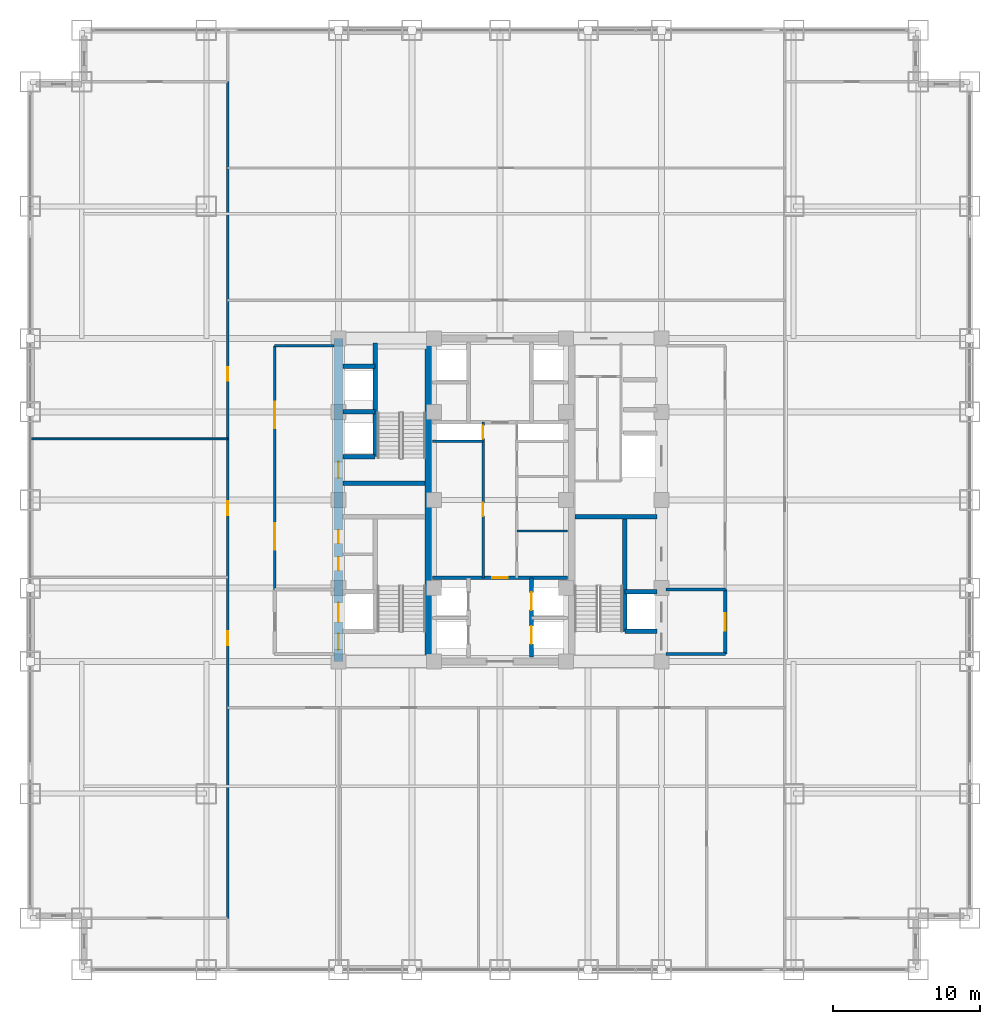
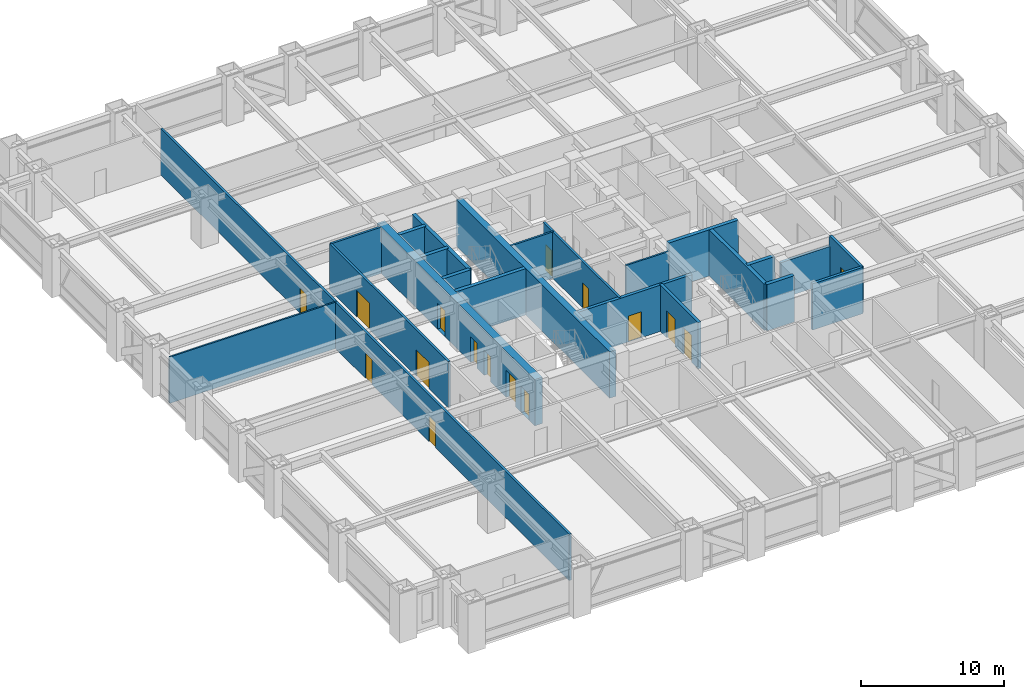
# One storey, part 24 of 27: 23 walls, 16 doors, 16 openings.
"""IFC4 building model written with IfcOpenShell, lengths in metres."""

from ifc_helpers import new_model, si_unit, direction, frame, frame_2d, origin, place, context, subcontext, project, spatial, rectangle, extrude, source, transform, mapped, material, layer, layer_set, type_object, element, fill, save


model = new_model("IFC4")

# Units and contexts
model_context = context("Model", 3, precision=1e-05, world=origin(), true_north=direction((0.0, 1.0)))
body_context = subcontext(model_context, "Body", "Model", "MODEL_VIEW")
ifc_project = project(units=[si_unit("LENGTHUNIT", "METRE"), si_unit("AREAUNIT", "SQUARE_METRE"), si_unit("VOLUMEUNIT", "CUBIC_METRE"), si_unit("PLANEANGLEUNIT", "RADIAN"), si_unit("MASSUNIT", "GRAM", prefix="KILO")], contexts=[model_context])

# Site, building, storey
site_placement = place(None, origin())
site = spatial("IfcSite", under=ifc_project, at=site_placement, CompositionType="ELEMENT")
building_placement = place(site_placement, origin())
building = spatial("IfcBuilding", under=site, at=building_placement, Name="Khorayat Bourse Tower", CompositionType="ELEMENT")
storey_placement = place(building_placement, frame((0.0, 0.0, 45.199951171875)))
storey = spatial("IfcBuildingStorey", under=building, at=storey_placement, Name="L09", CompositionType="ELEMENT", Elevation=45.199951171875)

# Wall, openings, doors
ifc_material_1 = material(Name="Concrete C60/75", Category="concrete")
ifc_layer_1 = layer(ifc_material_1, 0.60009765625)
ifc_layer_set_1 = layer_set([ifc_layer_1], Name="Concrete C60/75")
wall_type_1 = type_object("IfcWallType", Name="WAL-CORE-600", PredefinedType="SHEAR", material=ifc_layer_set_1)
shared_shape_1 = source(origin(), body_context, "Body", "SweptSolid", [
    extrude(rectangle(XDim=22.0, YDim=0.60009765625, at=frame_2d((11.0, 0.0))), origin(), (0.0, 0.0, 1.0), 3.93994140625),
])
wall_1_placement = place(storey_placement, frame((-11.0, -11.0, 0.0), z_axis=(0.0, 0.0, 1.0), x_axis=(0.0, 1.0, 0.0)))
wall_1 = element("IfcWall", 1, at=wall_1_placement, inside=storey, type_object=wall_type_1, Name="L09 Core Shear Wall CORE-W", PredefinedType="SHEAR", context=body_context, shape_type="MappedRepresentation", body=[
    mapped(shared_shape_1, transform((0.0, 0.0, 0.0), scale=1.0)),
])
shared_shape_2 = source(origin(), body_context, "Body", "SweptSolid", [
    extrude(rectangle(XDim=1.10009765625, YDim=2.199951171875, at=frame_2d((0.550048828125, 1.10009765625))), frame((0.0, 0.31005859375, 0.0), z_axis=(0.0, -1.0, 0.0), x_axis=(1.0, 0.0, 0.0)), (0.0, 0.0, 1.0), 0.6201171875),
])
opening_1_placement = place(wall_1_placement, frame((0.800048828125, 0.0, 0.0)))
opening_1 = element("IfcOpeningElement", 2, at=opening_1_placement, cuts=wall_1, Name="Opening DI-01", PredefinedType="OPENING", context=body_context, shape_type="MappedRepresentation", body=[
    mapped(shared_shape_2, transform((0.0, 0.0, 0.0), scale=1.0)),
])
opening_2_placement = place(wall_1_placement, frame((12.5, 0.0, 0.0)))
opening_2 = element("IfcOpeningElement", 3, at=opening_2_placement, cuts=wall_1, Name="Opening DI-01", PredefinedType="OPENING", context=body_context, shape_type="MappedRepresentation", body=[
    mapped(shared_shape_2, transform((0.0, 0.0, 0.0), scale=1.0)),
])
shared_shape_3 = source(origin(), body_context, "Body", "SweptSolid", [
    extrude(rectangle(XDim=0.89990234375, YDim=2.14990234375, at=frame_2d((0.449951171875, 1.074951171875))), frame((0.0, 0.31005859375, 0.0), z_axis=(0.0, -1.0, 0.0), x_axis=(1.0, 0.0, 0.0)), (0.0, 0.0, 1.0), 0.6201171875),
])
opening_3_placement = place(wall_1_placement, frame((6.199951171875, 0.0, 0.0)))
opening_3 = element("IfcOpeningElement", 4, at=opening_3_placement, cuts=wall_1, Name="Opening DI-06", PredefinedType="OPENING", context=body_context, shape_type="MappedRepresentation", body=[
    mapped(shared_shape_3, transform((0.0, 0.0, 0.0), scale=1.0)),
])
opening_4_placement = place(wall_1_placement, frame((8.050048828125, 0.0, 0.0)))
opening_4 = element("IfcOpeningElement", 5, at=opening_4_placement, cuts=wall_1, Name="Opening DI-06", PredefinedType="OPENING", context=body_context, shape_type="MappedRepresentation", body=[
    mapped(shared_shape_3, transform((0.0, 0.0, 0.0), scale=1.0)),
])
shared_shape_4 = source(origin(), body_context, "Body", "SweptSolid", [
    extrude(rectangle(XDim=1.300048828125, YDim=2.300048828125, at=frame_2d((0.64990234375, 1.14990234375))), frame((0.0, 0.31005859375, 0.0), z_axis=(0.0, -1.0, 0.0), x_axis=(1.0, 0.0, 0.0)), (0.0, 0.0, 1.0), 0.6201171875),
])
opening_5_placement = place(wall_1_placement, frame((2.699951171875, 0.0, 0.0)))
opening_5 = element("IfcOpeningElement", 6, at=opening_5_placement, cuts=wall_1, Name="Opening LD-02", PredefinedType="OPENING", context=body_context, shape_type="MappedRepresentation", body=[
    mapped(shared_shape_4, transform((0.0, 0.0, 0.0), scale=1.0)),
])
ifc_material_2 = material(Name="Fire-rated steel acoustic leaf", Category="steel")
door_type_1 = type_object("IfcDoorType", Name="DR-INT-STAIR-1100", OperationType="NOTDEFINED", PredefinedType="DOOR", material=ifc_material_2)
shared_shape_5 = source(origin(), body_context, "Body", "SweptSolid", [
    extrude(rectangle(XDim=1.10009765625, YDim=2.199951171875, at=frame_2d((0.550048828125, 1.10009765625))), frame((0.0, 0.02490234375, 0.0), z_axis=(0.0, -1.0, 0.0), x_axis=(1.0, 0.0, 0.0)), (0.0, 0.0, 1.0), 0.050048828125),
])
door_1_placement = place(opening_1_placement, origin())
door_1 = element("IfcDoor", 7, at=door_1_placement, inside=storey, type_object=door_type_1, Name="L09 Exit Stair 1 Door", OperationType="SINGLE_SWING_RIGHT", OverallHeight=2.199951171875, OverallWidth=1.10009765625, PredefinedType="DOOR", context=body_context, shape_type="MappedRepresentation", body=[
    mapped(shared_shape_5, transform((0.0, 0.0, 0.0), scale=1.0)),
])
fill(opening_1, door_1)
door_2_placement = place(opening_2_placement, origin())
door_2 = element("IfcDoor", 8, at=door_2_placement, inside=storey, type_object=door_type_1, Name="L09 Exit Stair 2 Door", OperationType="SINGLE_SWING_RIGHT", OverallHeight=2.199951171875, OverallWidth=1.10009765625, PredefinedType="DOOR", context=body_context, shape_type="MappedRepresentation", body=[
    mapped(shared_shape_5, transform((0.0, 0.0, 0.0), scale=1.0)),
])
fill(opening_2, door_2)
ifc_material_3 = material(Name="Moisture-resistant laminate washroom door")
door_type_2 = type_object("IfcDoorType", Name="DR-INT-WC-900", OperationType="NOTDEFINED", PredefinedType="DOOR", material=ifc_material_3)
shared_shape_6 = source(origin(), body_context, "Body", "SweptSolid", [
    extrude(rectangle(XDim=0.89990234375, YDim=2.14990234375, at=frame_2d((0.449951171875, 1.074951171875))), frame((0.0, 0.02490234375, 0.0), z_axis=(0.0, -1.0, 0.0), x_axis=(1.0, 0.0, 0.0)), (0.0, 0.0, 1.0), 0.050048828125),
])
door_3_placement = place(opening_3_placement, origin())
door_3 = element("IfcDoor", 9, at=door_3_placement, inside=storey, type_object=door_type_2, Name="L09 Electrical Plant Room Door", OperationType="SINGLE_SWING_RIGHT", OverallHeight=2.14990234375, OverallWidth=0.89990234375, PredefinedType="DOOR", context=body_context, shape_type="MappedRepresentation", body=[
    mapped(shared_shape_6, transform((0.0, 0.0, 0.0), scale=1.0)),
])
fill(opening_3, door_3)
door_4_placement = place(opening_4_placement, origin())
door_4 = element("IfcDoor", 10, at=door_4_placement, inside=storey, type_object=door_type_2, Name="L09 Cleaner Storage Room Door", OperationType="SINGLE_SWING_LEFT", OverallHeight=2.14990234375, OverallWidth=0.89990234375, PredefinedType="DOOR", context=body_context, shape_type="MappedRepresentation", body=[
    mapped(shared_shape_6, transform((0.0, 0.0, 0.0), scale=1.0)),
])
fill(opening_4, door_4)
ifc_material_4 = material(Name="Fire-rated stainless-steel sliding landing door", Category="steel")
door_type_3 = type_object("IfcDoorType", Name="DR-LIFT-FF-1300", OperationType="NOTDEFINED", PredefinedType="DOOR", material=ifc_material_4)
shared_shape_7 = source(origin(), body_context, "Body", "SweptSolid", [
    extrude(rectangle(XDim=1.300048828125, YDim=2.300048828125, at=frame_2d((0.64990234375, 1.14990234375))), frame((0.0, 0.02490234375, 0.0), z_axis=(0.0, -1.0, 0.0), x_axis=(1.0, 0.0, 0.0)), (0.0, 0.0, 1.0), 0.050048828125),
])
door_5_placement = place(opening_5_placement, origin())
door_5 = element("IfcDoor", 11, at=door_5_placement, inside=storey, type_object=door_type_3, Name="L09 Lift FFL-01 Sliding Landing Door", OperationType="SLIDING_TO_LEFT", OverallHeight=2.300048828125, OverallWidth=1.300048828125, PredefinedType="DOOR", context=body_context, shape_type="MappedRepresentation", body=[
    mapped(shared_shape_7, transform((0.0, 0.0, 0.0), scale=1.0)),
])
fill(opening_5, door_5)

# Walls
ifc_material_5 = material(Name="Concrete C52/65", Category="concrete")
ifc_layer_2 = layer(ifc_material_5, 0.5)
ifc_layer_set_2 = layer_set([ifc_layer_2], Name="Concrete C52/65")
wall_type_2 = type_object("IfcWallType", Name="WAL-CORE-500", PredefinedType="SHEAR", material=ifc_layer_set_2)
shared_shape_8 = source(origin(), body_context, "Body", "SweptSolid", [
    extrude(rectangle(XDim=21.39990234375, YDim=0.5, at=frame_2d((10.699951171875, 0.0))), origin(), (0.0, 0.0, 1.0), 3.93994140625),
])
wall_2_placement = place(storey_placement, frame((-4.85009765625, -10.699951171875, 0.0), z_axis=(0.0, 0.0, 1.0), x_axis=(0.0, 1.0, 0.0)))
element("IfcWall", 12, at=wall_2_placement, inside=storey, type_object=wall_type_2, Name="L09 Core Shear Wall PIER-W", PredefinedType="SHEAR", context=body_context, shape_type="MappedRepresentation", body=[
    mapped(shared_shape_8, transform((0.0, 0.0, 0.0), scale=1.0)),
])
ifc_material_6 = material(Name="Concrete C50/60", Category="concrete")
ifc_layer_3 = layer(ifc_material_6, 0.300048828125)
ifc_layer_set_3 = layer_set([ifc_layer_3], Name="Concrete C50/60")
wall_type_3 = type_object("IfcWallType", Name="WAL-SHAFT-300", PredefinedType="SHEAR", material=ifc_layer_set_3)
shared_shape_9 = source(origin(), body_context, "Body", "SweptSolid", [
    extrude(rectangle(XDim=5.599853515625, YDim=0.300048828125, at=frame_2d((2.7998046875, 0.0))), origin(), (0.0, 0.0, 1.0), 3.93994140625),
])
for number, where, z_axis, x_axis, name in (
    (13, (-10.699951171875, 1.14990234375, 0.0), (0.0, 0.0, 1.0), (1.0, 0.0, 0.0), "L09 Core Shear Wall ST2-DIV"),
    (14, (5.10009765625, -1.14990234375, 0.0), (0.0, 0.0, 1.0), (1.0, 0.0, 0.0), "L09 Core Shear Wall ST3-DIV"),
):
    element("IfcWall", number, at=place(storey_placement, frame(where, z_axis=z_axis, x_axis=x_axis)), inside=storey, type_object=wall_type_3, Name=name, PredefinedType="SHEAR", context=body_context, shape_type="MappedRepresentation", body=[
        mapped(shared_shape_9, transform((0.0, 0.0, 0.0), scale=1.0)),
    ])
shared_shape_10 = source(origin(), body_context, "Body", "SweptSolid", [
    extrude(rectangle(XDim=7.800048828125, YDim=0.300048828125, at=frame_2d((3.89990234375, 0.0))), origin(), (0.0, 0.0, 1.0), 3.93994140625),
])
wall_3_placement = place(storey_placement, frame((8.5, -8.949951171875, 0.0), z_axis=(0.0, 0.0, 1.0), x_axis=(0.0, 1.0, 0.0)))
element("IfcWall", 15, at=wall_3_placement, inside=storey, type_object=wall_type_3, Name="L09 Partition WAL-L09-EPIER-SP", PredefinedType="SHEAR", context=body_context, shape_type="MappedRepresentation", body=[
    mapped(shared_shape_10, transform((0.0, 0.0, 0.0), scale=1.0)),
])
shared_shape_11 = source(origin(), body_context, "Body", "SweptSolid", [
    extrude(rectangle(XDim=2.199951171875, YDim=0.300048828125, at=frame_2d((1.10009765625, 0.0))), origin(), (0.0, 0.0, 1.0), 3.93994140625),
])
for number, where, z_axis, x_axis, name in (
    (16, (-10.699951171875, 2.949951171875, 0.0), (0.0, 0.0, 1.0), (1.0, 0.0, 0.0), "L09 Partition WAL-L09-WPIER-H1S"),
    (17, (-10.699951171875, 6.0, 0.0), (0.0, 0.0, 1.0), (1.0, 0.0, 0.0), "L09 Partition WAL-L09-WPIER-H12"),
    (18, (-10.699951171875, 9.10009765625, 0.0), (0.0, 0.0, 1.0), (1.0, 0.0, 0.0), "L09 Partition WAL-L09-WPIER-H2N"),
    (19, (8.5, -8.949951171875, 0.0), (0.0, 0.0, 1.0), (1.0, 0.0, 0.0), "L09 Partition WAL-L09-EPIER-FF2S"),
    (20, (8.5, -6.25, 0.0), (0.0, 0.0, 1.0), (1.0, 0.0, 0.0), "L09 Partition WAL-L09-EPIER-FF2N"),
):
    element("IfcWall", number, at=place(storey_placement, frame(where, z_axis=z_axis, x_axis=x_axis)), inside=storey, type_object=wall_type_3, Name=name, PredefinedType="SHEAR", context=body_context, shape_type="MappedRepresentation", body=[
        mapped(shared_shape_11, transform((0.0, 0.0, 0.0), scale=1.0)),
    ])
shared_shape_12 = source(origin(), body_context, "Body", "SweptSolid", [
    extrude(rectangle(XDim=7.75, YDim=0.300048828125, at=frame_2d((3.875, 0.0))), origin(), (0.0, 0.0, 1.0), 3.93994140625),
])
wall_4_placement = place(storey_placement, frame((-8.5, 2.949951171875, 0.0), z_axis=(0.0, 0.0, 1.0), x_axis=(0.0, 1.0, 0.0)))
element("IfcWall", 21, at=wall_4_placement, inside=storey, type_object=wall_type_3, Name="L09 Partition WAL-L09-WPIER-ST2S", PredefinedType="SHEAR", context=body_context, shape_type="MappedRepresentation", body=[
    mapped(shared_shape_12, transform((0.0, 0.0, 0.0), scale=1.0)),
])
ifc_material_7 = material(Name="Aerated concrete blockwork", Category="masonry")
ifc_layer_4 = layer(ifc_material_7, 0.219970703125)
ifc_layer_set_4 = layer_set([ifc_layer_4], Name="Aerated concrete blockwork")
wall_type_4 = type_object("IfcWallType", Name="WAL-PART-FF-220", PredefinedType="PARTITIONING", material=ifc_layer_set_4)
shared_shape_13 = source(origin(), body_context, "Body", "SweptSolid", [
    extrude(rectangle(XDim=4.050048828125, YDim=0.219970703125, at=frame_2d((2.02490234375, 0.0))), origin(), (0.0, 0.0, 1.0), 3.93994140625),
])
wall_5_placement = place(storey_placement, frame((11.300048828125, -10.5, 0.0), z_axis=(0.0, 0.0, 1.0), x_axis=(1.0, 0.0, 0.0)))
element("IfcWall", 22, at=wall_5_placement, inside=storey, type_object=wall_type_4, Name="L09 Partition WAL-L09-FFLE-S", PredefinedType="PARTITIONING", context=body_context, shape_type="MappedRepresentation", body=[
    mapped(shared_shape_13, transform((0.0, 0.0, 0.0), scale=1.0)),
])
shared_shape_14 = source(origin(), body_context, "Body", "SweptSolid", [
    extrude(rectangle(XDim=4.050048828125, YDim=0.219970703125, at=frame_2d((2.02490234375, 0.0))), origin(), (0.0, 0.0, 1.0), 3.0849609375),
])
wall_6_placement = place(storey_placement, frame((11.300048828125, -6.10009765625, 0.0), z_axis=(0.0, 0.0, 1.0), x_axis=(1.0, 0.0, 0.0)))
element("IfcWall", 23, at=wall_6_placement, inside=storey, type_object=wall_type_4, Name="L09 Partition WAL-L09-FFLE-N", PredefinedType="PARTITIONING", context=body_context, shape_type="MappedRepresentation", body=[
    mapped(shared_shape_14, transform((0.0, 0.0, 0.0), scale=1.0)),
])

# Wall, opening, door
shared_shape_15 = source(origin(), body_context, "Body", "SweptSolid", [
    extrude(rectangle(XDim=4.39990234375, YDim=0.219970703125, at=frame_2d((2.199951171875, 0.0))), origin(), (0.0, 0.0, 1.0), 3.93994140625),
])
wall_7_placement = place(storey_placement, frame((15.35009765625, -10.5, 0.0), z_axis=(0.0, 0.0, 1.0), x_axis=(0.0, 1.0, 0.0)))
wall_7 = element("IfcWall", 24, at=wall_7_placement, inside=storey, type_object=wall_type_4, Name="L09 Partition WAL-L09-FFLE-E", PredefinedType="PARTITIONING", context=body_context, shape_type="MappedRepresentation", body=[
    mapped(shared_shape_15, transform((0.0, 0.0, 0.0), scale=1.0)),
])
shared_shape_16 = source(origin(), body_context, "Body", "SweptSolid", [
    extrude(rectangle(XDim=1.199951171875, YDim=2.199951171875, at=frame_2d((0.60009765625, 1.10009765625))), frame((0.0, 0.119873046875, 0.0), z_axis=(0.0, -1.0, 0.0), x_axis=(1.0, 0.0, 0.0)), (0.0, 0.0, 1.0), 0.239990234375),
])
opening_6_placement = place(wall_7_placement, frame((1.60009765625, 0.0, 0.0)))
opening_6 = element("IfcOpeningElement", 25, at=opening_6_placement, cuts=wall_7, Name="Opening DI-02", PredefinedType="OPENING", context=body_context, shape_type="MappedRepresentation", body=[
    mapped(shared_shape_16, transform((0.0, 0.0, 0.0), scale=1.0)),
])
ifc_material_8 = material(Name="Fire-rated steel double-seal leaf", Category="steel")
door_type_4 = type_object("IfcDoorType", Name="DR-INT-FFLOBBY-1200", OperationType="NOTDEFINED", PredefinedType="DOOR", material=ifc_material_8)
shared_shape_17 = source(origin(), body_context, "Body", "SweptSolid", [
    extrude(rectangle(XDim=1.199951171875, YDim=2.199951171875, at=frame_2d((0.60009765625, 1.10009765625))), frame((0.0, 0.02490234375, 0.0), z_axis=(0.0, -1.0, 0.0), x_axis=(1.0, 0.0, 0.0)), (0.0, 0.0, 1.0), 0.050048828125),
])
door_6_placement = place(opening_6_placement, origin())
door_6 = element("IfcDoor", 26, at=door_6_placement, inside=storey, type_object=door_type_4, Name="L09 East Firefighting Lobby Door", OperationType="SINGLE_SWING_RIGHT", OverallHeight=2.199951171875, OverallWidth=1.199951171875, PredefinedType="DOOR", context=body_context, shape_type="MappedRepresentation", body=[
    mapped(shared_shape_17, transform((0.0, 0.0, 0.0), scale=1.0)),
])
fill(opening_6, door_6)

# Wall
ifc_material_9 = material(Name="Gypsum plasterboard acoustic stud wall")
ifc_layer_5 = layer(ifc_material_9, 0.179931640625)
ifc_layer_set_5 = layer_set([ifc_layer_5], Name="Gypsum plasterboard acoustic stud wall")
wall_type_5 = type_object("IfcWallType", Name="WAL-PART-CORR-180", PredefinedType="PARTITIONING", material=ifc_layer_set_5)
shared_shape_18 = source(origin(), body_context, "Body", "SweptSolid", [
    extrude(rectangle(XDim=4.050048828125, YDim=0.179931640625, at=frame_2d((2.02490234375, 0.0))), origin(), (0.0, 0.0, 1.0), 3.93994140625),
])
wall_8_placement = place(storey_placement, frame((-15.35009765625, 10.5, 0.0), z_axis=(0.0, 0.0, 1.0), x_axis=(1.0, 0.0, 0.0)))
element("IfcWall", 27, at=wall_8_placement, inside=storey, type_object=wall_type_5, Name="L09 Partition WAL-L09-WLOB-N", PredefinedType="PARTITIONING", context=body_context, shape_type="MappedRepresentation", body=[
    mapped(shared_shape_18, transform((0.0, 0.0, 0.0), scale=1.0)),
])

# Wall, openings, doors
shared_shape_19 = source(origin(), body_context, "Body", "SweptSolid", [
    extrude(rectangle(XDim=16.60009765625, YDim=0.179931640625, at=frame_2d((8.300048828125, 0.0))), origin(), (0.0, 0.0, 1.0), 3.93994140625),
])
wall_9_placement = place(storey_placement, frame((-15.35009765625, -6.10009765625, 0.0), z_axis=(0.0, 0.0, 1.0), x_axis=(0.0, 1.0, 0.0)))
wall_9 = element("IfcWall", 28, at=wall_9_placement, inside=storey, type_object=wall_type_5, Name="L09 Partition WAL-L09-WLOB-W", PredefinedType="PARTITIONING", context=body_context, shape_type="MappedRepresentation", body=[
    mapped(shared_shape_19, transform((0.0, 0.0, 0.0), scale=1.0)),
])
shared_shape_20 = source(origin(), body_context, "Body", "SweptSolid", [
    extrude(rectangle(XDim=1.800048828125, YDim=2.25, at=frame_2d((0.89990234375, 1.125))), frame((0.0, 0.099853515625, 0.0), z_axis=(0.0, -1.0, 0.0), x_axis=(1.0, 0.0, 0.0)), (0.0, 0.0, 1.0), 0.199951171875),
])
opening_7_placement = place(wall_9_placement, frame((2.699951171875, 0.0, 0.0)))
opening_7 = element("IfcOpeningElement", 29, at=opening_7_placement, cuts=wall_9, Name="Opening DI-03", PredefinedType="OPENING", context=body_context, shape_type="MappedRepresentation", body=[
    mapped(shared_shape_20, transform((0.0, 0.0, 0.0), scale=1.0)),
])
opening_8_placement = place(wall_9_placement, frame((11.0, 0.0, 0.0)))
opening_8 = element("IfcOpeningElement", 30, at=opening_8_placement, cuts=wall_9, Name="Opening DI-03", PredefinedType="OPENING", context=body_context, shape_type="MappedRepresentation", body=[
    mapped(shared_shape_20, transform((0.0, 0.0, 0.0), scale=1.0)),
])
ifc_material_10 = material(Name="Fire-rated hardwood vision-panel double leaf", Category="wood")
door_type_5 = type_object("IfcDoorType", Name="DR-INT-CORR-1800", OperationType="NOTDEFINED", PredefinedType="DOOR", material=ifc_material_10)
shared_shape_21 = source(origin(), body_context, "Body", "SweptSolid", [
    extrude(rectangle(XDim=1.800048828125, YDim=2.25, at=frame_2d((0.89990234375, 1.125))), frame((0.0, 0.02490234375, 0.0), z_axis=(0.0, -1.0, 0.0), x_axis=(1.0, 0.0, 0.0)), (0.0, 0.0, 1.0), 0.050048828125),
])
door_7_placement = place(opening_7_placement, origin())
door_7 = element("IfcDoor", 31, at=door_7_placement, inside=storey, type_object=door_type_5, Name="L09 West Core Lobby South Door", OperationType="SINGLE_SWING_LEFT", OverallHeight=2.25, OverallWidth=1.800048828125, PredefinedType="DOOR", context=body_context, shape_type="MappedRepresentation", body=[
    mapped(shared_shape_21, transform((0.0, 0.0, 0.0), scale=1.0)),
])
fill(opening_7, door_7)
door_8_placement = place(opening_8_placement, origin())
door_8 = element("IfcDoor", 32, at=door_8_placement, inside=storey, type_object=door_type_5, Name="L09 West Core Lobby North Door", OperationType="SINGLE_SWING_RIGHT", OverallHeight=2.25, OverallWidth=1.800048828125, PredefinedType="DOOR", context=body_context, shape_type="MappedRepresentation", body=[
    mapped(shared_shape_21, transform((0.0, 0.0, 0.0), scale=1.0)),
])
fill(opening_8, door_8)

# Wall
ifc_material_11 = material(Name="Gypsum plasterboard twin-frame partition")
ifc_layer_6 = layer(ifc_material_11, 0.14990234375)
ifc_layer_set_6 = layer_set([ifc_layer_6], Name="Gypsum plasterboard twin-frame partition")
wall_type_6 = type_object("IfcWallType", Name="WAL-PART-SUITE-150", PredefinedType="PARTITIONING", material=ifc_layer_set_6)
shared_shape_22 = source(origin(), body_context, "Body", "SweptSolid", [
    extrude(rectangle(XDim=3.4501953125, YDim=0.14990234375, at=frame_2d((1.72509765625, 0.0))), origin(), (0.0, 0.0, 1.0), 3.93994140625),
])
wall_10_placement = place(storey_placement, frame((-4.60009765625, 4.0, 0.0), z_axis=(0.0, 0.0, 1.0), x_axis=(1.0, 0.0, 0.0)))
element("IfcWall", 33, at=wall_10_placement, inside=storey, type_object=wall_type_6, Name="L09 Partition WAL-L09-CRSW-S", PredefinedType="PARTITIONING", context=body_context, shape_type="MappedRepresentation", body=[
    mapped(shared_shape_22, transform((0.0, 0.0, 0.0), scale=1.0)),
])

# Wall, openings, doors
shared_shape_23 = source(origin(), body_context, "Body", "SweptSolid", [
    extrude(rectangle(XDim=5.39990234375, YDim=0.25, at=frame_2d((2.699951171875, 0.0))), origin(), (0.0, 0.0, 1.0), 3.93994140625),
])
wall_11_placement = place(storey_placement, frame((2.14990234375, -10.699951171875, 0.0), z_axis=(0.0, 0.0, 1.0), x_axis=(0.0, 1.0, 0.0)))
wall_11 = element("IfcWall", 34, at=wall_11_placement, inside=storey, type_object=wall_type_3, Name="L09 Partition WAL-L09-B1-E", PredefinedType="SHEAR", context=body_context, shape_type="MappedRepresentation", body=[
    mapped(shared_shape_23, transform((0.0, 0.0, 0.0), scale=1.0)),
])
shared_shape_24 = source(origin(), body_context, "Body", "SweptSolid", [
    extrude(rectangle(XDim=1.199951171875, YDim=2.300048828125, at=frame_2d((0.60009765625, 1.14990234375))), frame((0.0, 0.135009765625, 0.0), z_axis=(0.0, -1.0, 0.0), x_axis=(1.0, 0.0, 0.0)), (0.0, 0.0, 1.0), 0.27001953125),
])
opening_9_placement = place(wall_11_placement, frame((0.89990234375, 0.0, 0.0)))
opening_9 = element("IfcOpeningElement", 35, at=opening_9_placement, cuts=wall_11, Name="Opening LD-01", PredefinedType="OPENING", context=body_context, shape_type="MappedRepresentation", body=[
    mapped(shared_shape_24, transform((0.0, 0.0, 0.0), scale=1.0)),
])
opening_10_placement = place(wall_11_placement, frame((3.199951171875, 0.0, 0.0)))
opening_10 = element("IfcOpeningElement", 36, at=opening_10_placement, cuts=wall_11, Name="Opening LD-01", PredefinedType="OPENING", context=body_context, shape_type="MappedRepresentation", body=[
    mapped(shared_shape_24, transform((0.0, 0.0, 0.0), scale=1.0)),
])
ifc_material_12 = material(Name="Brushed bronze stainless-steel sliding door", Category="steel")
door_type_6 = type_object("IfcDoorType", Name="DR-LIFT-PASS-1200", OperationType="NOTDEFINED", PredefinedType="DOOR", material=ifc_material_12)
shared_shape_25 = source(origin(), body_context, "Body", "SweptSolid", [
    extrude(rectangle(XDim=1.199951171875, YDim=2.300048828125, at=frame_2d((0.60009765625, 1.14990234375))), frame((0.0, 0.02490234375, 0.0), z_axis=(0.0, -1.0, 0.0), x_axis=(1.0, 0.0, 0.0)), (0.0, 0.0, 1.0), 0.050048828125),
])
door_9_placement = place(opening_9_placement, origin())
door_9 = element("IfcDoor", 37, at=door_9_placement, inside=storey, type_object=door_type_6, Name="L09 Lift PL-L2 Sliding Landing Door", OperationType="SLIDING_TO_LEFT", OverallHeight=2.300048828125, OverallWidth=1.199951171875, PredefinedType="DOOR", context=body_context, shape_type="MappedRepresentation", body=[
    mapped(shared_shape_25, transform((0.0, 0.0, 0.0), scale=1.0)),
])
fill(opening_9, door_9)
door_10_placement = place(opening_10_placement, origin())
door_10 = element("IfcDoor", 38, at=door_10_placement, inside=storey, type_object=door_type_6, Name="L09 Lift PL-L4 Sliding Landing Door", OperationType="SLIDING_TO_LEFT", OverallHeight=2.300048828125, OverallWidth=1.199951171875, PredefinedType="DOOR", context=body_context, shape_type="MappedRepresentation", body=[
    mapped(shared_shape_25, transform((0.0, 0.0, 0.0), scale=1.0)),
])
fill(opening_10, door_10)

# Wall, opening, door
shared_shape_26 = source(origin(), body_context, "Body", "SweptSolid", [
    extrude(rectangle(XDim=9.2001953125, YDim=0.25, at=frame_2d((4.60009765625, 0.0))), origin(), (0.0, 0.0, 1.0), 3.93994140625),
])
wall_12_placement = place(storey_placement, frame((-4.60009765625, -5.300048828125, 0.0), z_axis=(0.0, 0.0, 1.0), x_axis=(1.0, 0.0, 0.0)))
wall_12 = element("IfcWall", 39, at=wall_12_placement, inside=storey, type_object=wall_type_3, Name="L09 Partition WAL-L09-B1-N", PredefinedType="SHEAR", context=body_context, shape_type="MappedRepresentation", body=[
    mapped(shared_shape_26, transform((0.0, 0.0, 0.0), scale=1.0)),
])
shared_shape_27 = source(origin(), body_context, "Body", "SweptSolid", [
    extrude(rectangle(XDim=1.050048828125, YDim=2.199951171875, at=frame_2d((0.52490234375, 1.10009765625))), frame((0.0, 0.135009765625, 0.0), z_axis=(0.0, -1.0, 0.0), x_axis=(1.0, 0.0, 0.0)), (0.0, 0.0, 1.0), 0.27001953125),
])
opening_11_placement = place(wall_12_placement, frame((4.074951171875, 0.0, 0.0)))
opening_11 = element("IfcOpeningElement", 40, at=opening_11_placement, cuts=wall_12, Name="Opening DI-04", PredefinedType="OPENING", context=body_context, shape_type="MappedRepresentation", body=[
    mapped(shared_shape_27, transform((0.0, 0.0, 0.0), scale=1.0)),
])
ifc_material_13 = material(Name="Fire-rated oak veneer suite entrance door")
door_type_7 = type_object("IfcDoorType", Name="DR-INT-SUITE-1050", OperationType="NOTDEFINED", PredefinedType="DOOR", material=ifc_material_13)
shared_shape_28 = source(origin(), body_context, "Body", "SweptSolid", [
    extrude(rectangle(XDim=1.050048828125, YDim=2.199951171875, at=frame_2d((0.52490234375, 1.10009765625))), frame((0.0, 0.02490234375, 0.0), z_axis=(0.0, -1.0, 0.0), x_axis=(1.0, 0.0, 0.0)), (0.0, 0.0, 1.0), 0.050048828125),
])
door_11_placement = place(opening_11_placement, origin())
door_11 = element("IfcDoor", 41, at=door_11_placement, inside=storey, type_object=door_type_7, Name="L09 Core Spine South Door", OperationType="SINGLE_SWING_LEFT", OverallHeight=2.199951171875, OverallWidth=1.050048828125, PredefinedType="DOOR", context=body_context, shape_type="MappedRepresentation", body=[
    mapped(shared_shape_28, transform((0.0, 0.0, 0.0), scale=1.0)),
])
fill(opening_11, door_11)

# Wall
ifc_material_14 = material(Name="Moisture-resistant masonry partition", Category="masonry")
ifc_layer_7 = layer(ifc_material_14, 0.139892578125)
ifc_layer_set_7 = layer_set([ifc_layer_7], Name="Moisture-resistant masonry partition")
wall_type_7 = type_object("IfcWallType", Name="WAL-PART-WET-140", PredefinedType="PARTITIONING", material=ifc_layer_set_7)
shared_shape_29 = source(origin(), body_context, "Body", "SweptSolid", [
    extrude(rectangle(XDim=3.4501953125, YDim=0.139892578125, at=frame_2d((1.72509765625, 0.0))), origin(), (0.0, 0.0, 1.0), 3.93994140625),
])
wall_13_placement = place(storey_placement, frame((1.14990234375, -2.10009765625, 0.0), z_axis=(0.0, 0.0, 1.0), x_axis=(1.0, 0.0, 0.0)))
element("IfcWall", 42, at=wall_13_placement, inside=storey, type_object=wall_type_7, Name="L09 Partition WAL-L09-CME-D1", PredefinedType="PARTITIONING", context=body_context, shape_type="MappedRepresentation", body=[
    mapped(shared_shape_29, transform((0.0, 0.0, 0.0), scale=1.0)),
])

# Wall, openings, doors
shared_shape_30 = source(origin(), body_context, "Body", "SweptSolid", [
    extrude(rectangle(XDim=10.60009765625, YDim=0.179931640625, at=frame_2d((5.300048828125, 0.0))), origin(), (0.0, 0.0, 1.0), 3.93994140625),
])
wall_14_placement = place(storey_placement, frame((-1.14990234375, -5.300048828125, 0.0), z_axis=(0.0, 0.0, 1.0), x_axis=(0.0, 1.0, 0.0)))
wall_14 = element("IfcWall", 43, at=wall_14_placement, inside=storey, type_object=wall_type_5, Name="L09 Partition WAL-L09-CMW-L", PredefinedType="PARTITIONING", context=body_context, shape_type="MappedRepresentation", body=[
    mapped(shared_shape_30, transform((0.0, 0.0, 0.0), scale=1.0)),
])
shared_shape_31 = source(origin(), body_context, "Body", "SweptSolid", [
    extrude(rectangle(XDim=0.89990234375, YDim=2.14990234375, at=frame_2d((0.449951171875, 1.074951171875))), frame((0.0, 0.099853515625, 0.0), z_axis=(0.0, -1.0, 0.0), x_axis=(1.0, 0.0, 0.0)), (0.0, 0.0, 1.0), 0.199951171875),
])
opening_12_placement = place(wall_14_placement, frame((4.199951171875, 0.0, 0.0)))
opening_12 = element("IfcOpeningElement", 44, at=opening_12_placement, cuts=wall_14, Name="Opening DI-06", PredefinedType="OPENING", context=body_context, shape_type="MappedRepresentation", body=[
    mapped(shared_shape_31, transform((0.0, 0.0, 0.0), scale=1.0)),
])
opening_13_placement = place(wall_14_placement, frame((9.47509765625, 0.0, 0.0)))
opening_13 = element("IfcOpeningElement", 45, at=opening_13_placement, cuts=wall_14, Name="Opening DI-06", PredefinedType="OPENING", context=body_context, shape_type="MappedRepresentation", body=[
    mapped(shared_shape_31, transform((0.0, 0.0, 0.0), scale=1.0)),
])
door_12_placement = place(opening_12_placement, origin())
door_12 = element("IfcDoor", 46, at=door_12_placement, inside=storey, type_object=door_type_2, Name="L09 Male Core Washroom Door", OperationType="SINGLE_SWING_RIGHT", OverallHeight=2.14990234375, OverallWidth=0.89990234375, PredefinedType="DOOR", context=body_context, shape_type="MappedRepresentation", body=[
    mapped(shared_shape_6, transform((0.0, 0.0, 0.0), scale=1.0)),
])
fill(opening_12, door_12)
door_13_placement = place(opening_13_placement, origin())
door_13 = element("IfcDoor", 47, at=door_13_placement, inside=storey, type_object=door_type_2, Name="L09 West Core Riser Door", OperationType="SINGLE_SWING_LEFT", OverallHeight=2.14990234375, OverallWidth=0.89990234375, PredefinedType="DOOR", context=body_context, shape_type="MappedRepresentation", body=[
    mapped(shared_shape_6, transform((0.0, 0.0, 0.0), scale=1.0)),
])
fill(opening_13, door_13)

shared_shape_32 = source(origin(), body_context, "Body", "SweptSolid", [
    extrude(rectangle(XDim=57.0, YDim=0.179931640625, at=frame_2d((28.5, 0.0))), origin(), (0.0, 0.0, 1.0), 3.93994140625),
])
wall_15_placement = place(storey_placement, frame((-18.550048828125, -28.5, 0.0), z_axis=(0.0, 0.0, 1.0), x_axis=(0.0, 1.0, 0.0)))
wall_15 = element("IfcWall", 48, at=wall_15_placement, inside=storey, type_object=wall_type_5, Name="L09 Partition WAL-L09-WCORR", PredefinedType="PARTITIONING", context=body_context, shape_type="MappedRepresentation", body=[
    mapped(shared_shape_32, transform((0.0, 0.0, 0.0), scale=1.0)),
])
shared_shape_33 = source(origin(), body_context, "Body", "SweptSolid", [
    extrude(rectangle(XDim=0.949951171875, YDim=2.14990234375, at=frame_2d((0.47509765625, 1.074951171875))), frame((0.0, 0.099853515625, 0.0), z_axis=(0.0, -1.0, 0.0), x_axis=(1.0, 0.0, 0.0)), (0.0, 0.0, 1.0), 0.199951171875),
])
opening_14_placement = place(wall_15_placement, frame((18.614990234375, 0.0, 0.0)))
opening_14 = element("IfcOpeningElement", 49, at=opening_14_placement, cuts=wall_15, Name="Opening DI-05", PredefinedType="OPENING", context=body_context, shape_type="MappedRepresentation", body=[
    mapped(shared_shape_33, transform((0.0, 0.0, 0.0), scale=1.0)),
])
opening_15_placement = place(wall_15_placement, frame((27.472412109375, 0.0, 0.0)))
opening_15 = element("IfcOpeningElement", 50, at=opening_15_placement, cuts=wall_15, Name="Opening DI-05", PredefinedType="OPENING", context=body_context, shape_type="MappedRepresentation", body=[
    mapped(shared_shape_33, transform((0.0, 0.0, 0.0), scale=1.0)),
])
opening_16_placement = place(wall_15_placement, frame((36.607421875, 0.0, 0.0)))
opening_16 = element("IfcOpeningElement", 51, at=opening_16_placement, cuts=wall_15, Name="Opening DI-05", PredefinedType="OPENING", context=body_context, shape_type="MappedRepresentation", body=[
    mapped(shared_shape_33, transform((0.0, 0.0, 0.0), scale=1.0)),
])
ifc_material_15 = material(Name="Acoustic oak veneer office door")
door_type_8 = type_object("IfcDoorType", Name="DR-INT-OFFICE-950", OperationType="NOTDEFINED", PredefinedType="DOOR", material=ifc_material_15)
shared_shape_34 = source(origin(), body_context, "Body", "SweptSolid", [
    extrude(rectangle(XDim=0.949951171875, YDim=2.14990234375, at=frame_2d((0.47509765625, 1.074951171875))), frame((0.0, 0.02490234375, 0.0), z_axis=(0.0, -1.0, 0.0), x_axis=(1.0, 0.0, 0.0)), (0.0, 0.0, 1.0), 0.050048828125),
])
door_14_placement = place(opening_14_placement, origin())
door_14 = element("IfcDoor", 52, at=door_14_placement, inside=storey, type_object=door_type_8, Name="L09 Public Washrooms and Restrooms W1 Door", OperationType="SINGLE_SWING_RIGHT", OverallHeight=2.14990234375, OverallWidth=0.949951171875, PredefinedType="DOOR", context=body_context, shape_type="MappedRepresentation", body=[
    mapped(shared_shape_34, transform((0.0, 0.0, 0.0), scale=1.0)),
])
fill(opening_14, door_14)
door_15_placement = place(opening_15_placement, origin())
door_15 = element("IfcDoor", 53, at=door_15_placement, inside=storey, type_object=door_type_8, Name="L09 Market Reference Library W2 Door", OperationType="SINGLE_SWING_LEFT", OverallHeight=2.14990234375, OverallWidth=0.949951171875, PredefinedType="DOOR", context=body_context, shape_type="MappedRepresentation", body=[
    mapped(shared_shape_34, transform((0.0, 0.0, 0.0), scale=1.0)),
])
fill(opening_15, door_15)
door_16_placement = place(opening_16_placement, origin())
door_16 = element("IfcDoor", 54, at=door_16_placement, inside=storey, type_object=door_type_8, Name="L09 Clearing Records Archive Store W3 Door", OperationType="SINGLE_SWING_RIGHT", OverallHeight=2.14990234375, OverallWidth=0.949951171875, PredefinedType="DOOR", context=body_context, shape_type="MappedRepresentation", body=[
    mapped(shared_shape_34, transform((0.0, 0.0, 0.0), scale=1.0)),
])
fill(opening_16, door_16)

# Wall
ifc_material_16 = material(Name="Gypsum plasterboard partition")
ifc_layer_8 = layer(ifc_material_16, 0.125)
ifc_layer_set_8 = layer_set([ifc_layer_8], Name="Gypsum plasterboard partition")
wall_type_8 = type_object("IfcWallType", Name="WAL-PART-ROOM-125", PredefinedType="PARTITIONING", material=ifc_layer_set_8)
shared_shape_35 = source(origin(), body_context, "Body", "SweptSolid", [
    extrude(rectangle(XDim=13.449951171875, YDim=0.125, at=frame_2d((6.72509765625, 0.0))), origin(), (0.0, 0.0, 1.0), 3.93994140625),
])
wall_16_placement = place(storey_placement, frame((-32.0, 4.1650390625, 0.0), z_axis=(0.0, 0.0, 1.0), x_axis=(1.0, 0.0, 0.0)))
element("IfcWall", 55, at=wall_16_placement, inside=storey, type_object=wall_type_8, Name="L09 Partition WAL-L09-WDV-2", PredefinedType="PARTITIONING", context=body_context, shape_type="MappedRepresentation", body=[
    mapped(shared_shape_35, transform((0.0, 0.0, 0.0), scale=1.0)),
])

save(model, "model.ifc")
